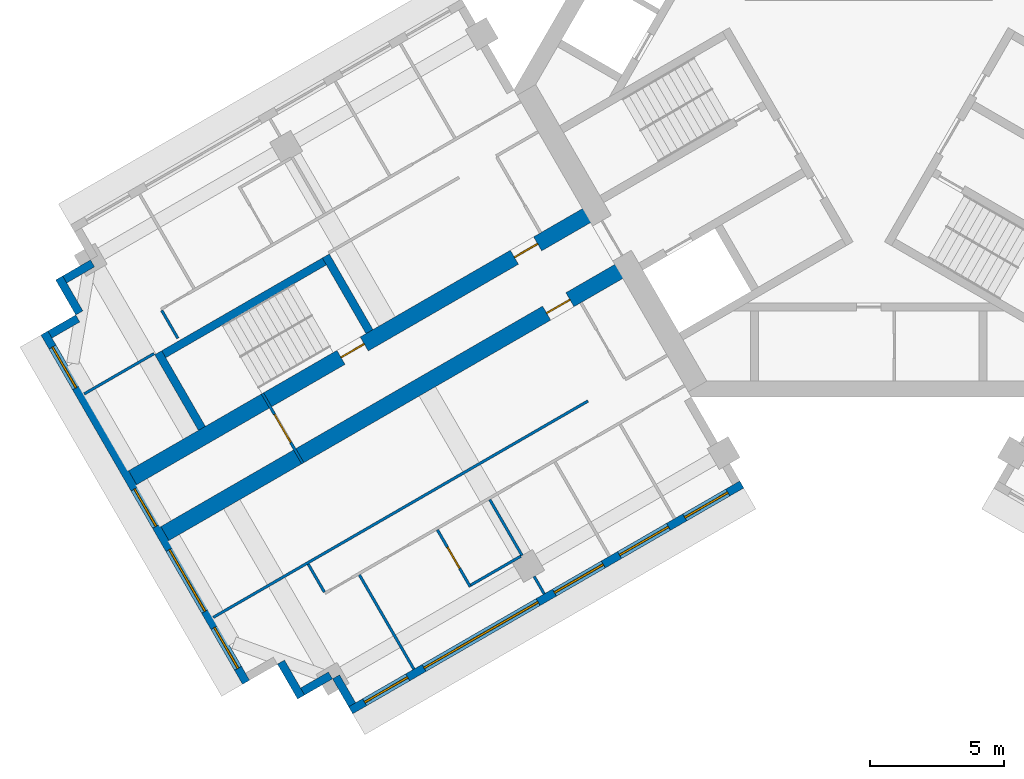
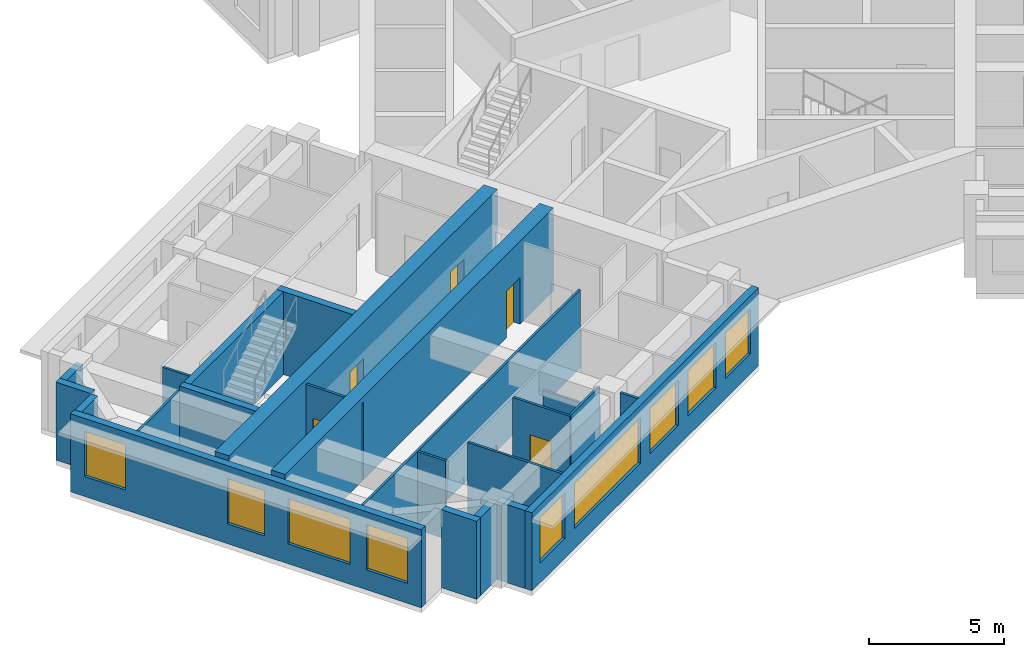
# One storey, part 2 of 10: 23 walls, 9 windows, 5 doors, 14 openings.
"""IFC4 building model written with IfcOpenShell, lengths in metres."""

import ifcopenshell
import ifcopenshell.guid

model = None  # the IFC model being written
_history = None  # IfcOwnerHistory: only IFC2X3 demands one
_inside = {}  # id of a spatial element -> (the spatial element, [elements in it])
_under = {}  # id of a project, library or spatial element -> (it, [spatial elements below it])
_declared = {}  # id of a project -> (the project, [libraries it declares])
_typed = {}  # id of a type object -> (the type object, [elements of that type])
_made_of = {}  # id of a material, layer set ... -> (it, [elements and type objects made of it])


def new_model(schema):
    """Start an empty IFC model of exactly this schema.

    Asked for "IFC4X3", IfcOpenShell would pick the latest addendum, in which some entities
    have other attributes; the version numbers below select the first issue.
    IFC2X3 requires an IfcOwnerHistory on every rooted entity: one is made here for all.
    """
    global model, _history
    if schema == "IFC4X3":
        model = ifcopenshell.file(schema_version=(4, 3, 0, 0))
    else:
        model = ifcopenshell.file(schema=schema)
    _inside.clear()
    _under.clear()
    _declared.clear()
    _typed.clear()
    _made_of.clear()
    _history = None
    if model.schema == "IFC2X3":
        org = make("IfcOrganization", Name="unknown")
        user = make(
            "IfcPersonAndOrganization",
            ThePerson=make("IfcPerson", FamilyName="unknown"),
            TheOrganization=org,
        )
        app = make(
            "IfcApplication",
            ApplicationDeveloper=org,
            Version="unknown",
            ApplicationFullName="unknown",
            ApplicationIdentifier="unknown",
        )
        _history = make(
            "IfcOwnerHistory",
            OwningUser=user,
            OwningApplication=app,
            ChangeAction="ADDED",
            CreationDate=0,
        )
    return model


def make(cls, **values):
    """One entity of the class cls with the attributes given. An attribute that is None is left unset."""
    return model.create_entity(
        cls, **{name: value for name, value in values.items() if value is not None}
    )


def rooted(cls, **values):
    """An entity with a GlobalId (a new one), such as an element, a storey or a relation."""
    return make(cls, GlobalId=ifcopenshell.guid.new(), OwnerHistory=_history, **values)


def si_unit(unit_type, name, prefix=None):
    """IfcSIUnit, for example si_unit("LENGTHUNIT", "METRE", prefix="MILLI")."""
    return make("IfcSIUnit", UnitType=unit_type, Prefix=prefix, Name=name)


def assignment(units):
    """IfcUnitAssignment: the units of a project."""
    return None if units is None else make("IfcUnitAssignment", Units=units)


def point(xyz):
    """IfcCartesianPoint."""
    return None if xyz is None else make("IfcCartesianPoint", Coordinates=xyz)


def direction(xyz):
    """IfcDirection."""
    return None if xyz is None else make("IfcDirection", DirectionRatios=xyz)


def frame(location, z_axis=None, x_axis=None):
    """IfcAxis2Placement3D, a coordinate frame: its origin and axes. An axis left out is left unset."""
    return make(
        "IfcAxis2Placement3D",
        Location=point(location),
        Axis=direction(z_axis),
        RefDirection=direction(x_axis),
    )


def frame_2d(location, x_axis=None):
    """IfcAxis2Placement2D, a coordinate frame in the plane: its origin and x axis."""
    return make(
        "IfcAxis2Placement2D", Location=point(location), RefDirection=direction(x_axis)
    )


def origin():
    """The frame at (0, 0, 0) with its axes left unset."""
    return frame((0.0, 0.0, 0.0))


def place(relative_to, where):
    """IfcLocalPlacement: puts the frame where relative to a parent placement (None: the world)."""
    return make(
        "IfcLocalPlacement", PlacementRelTo=relative_to, RelativePlacement=where
    )


def context(
    kind, dimensions, precision=None, world=None, true_north=None, identifier=None
):
    """IfcGeometricRepresentationContext, for example the 3D "Model" context."""
    return make(
        "IfcGeometricRepresentationContext",
        ContextIdentifier=identifier,
        ContextType=kind,
        CoordinateSpaceDimension=dimensions,
        Precision=precision,
        WorldCoordinateSystem=world,
        TrueNorth=true_north,
    )


def subcontext(parent, identifier, kind, view, scale=None):
    """IfcGeometricRepresentationSubContext, for example "Body" below "Model"."""
    return make(
        "IfcGeometricRepresentationSubContext",
        ContextIdentifier=identifier,
        ContextType=kind,
        ParentContext=parent,
        TargetScale=scale,
        TargetView=view,
    )


def project(units=None, contexts=None):
    """IfcProject with its units and contexts."""
    return rooted(
        "IfcProject",
        Name="project",
        RepresentationContexts=contexts,
        UnitsInContext=assignment(units),
    )


def spatial(cls, under=None, at=None, **own):
    """A site, building, storey or space (cls), placed at a placement, below another one or the project."""
    s = rooted(cls, ObjectPlacement=at, **own)
    if under is not None:
        _under.setdefault(under.id(), (under, []))[1].append(s)
    return s


def profile(cls, at=None, kind="AREA", **sizes):
    """A parametric profile (cls). Its sizes go by their IFC names, for example OverallWidth=200.0."""
    return make(cls, ProfileType=kind, Position=at, **sizes)


def rectangle(**sizes):
    """IfcRectangleProfileDef."""
    return profile("IfcRectangleProfileDef", **sizes)


def extrude(swept, where, along, depth):
    """IfcExtrudedAreaSolid: the profile swept, set in the frame where, extruded along a direction by depth."""
    return make(
        "IfcExtrudedAreaSolid",
        SweptArea=swept,
        Position=where,
        ExtrudedDirection=direction(along),
        Depth=depth,
    )


def shape(context_of_items, identifier, shape_type, items):
    """IfcShapeRepresentation: the items that make up one representation, for example the "Body"."""
    return make(
        "IfcShapeRepresentation",
        ContextOfItems=context_of_items,
        RepresentationIdentifier=identifier,
        RepresentationType=shape_type,
        Items=items,
    )


def material(Name=None, Category=None):
    """IfcMaterial."""
    return make("IfcMaterial", Name=Name, Category=Category)


def layer(
    of_material, thickness, ventilated=None, Name=None, Category=None, Priority=None
):
    """IfcMaterialLayer: one layer of a wall or slab, of a material (None: an air gap)."""
    return make(
        "IfcMaterialLayer",
        Material=of_material,
        LayerThickness=thickness,
        IsVentilated=ventilated,
        Name=Name,
        Category=Category,
        Priority=Priority,
    )


def layer_set(layers, Name=None):
    """IfcMaterialLayerSet."""
    return make("IfcMaterialLayerSet", MaterialLayers=layers, LayerSetName=Name)


def made_of(thing, what):
    """Note that an element or type object is made of a material, layer set ...; save() writes the relation."""
    if what is not None:
        _made_of.setdefault(what.id(), (what, []))[1].append(thing)
    return thing


def type_object(cls, material=None, **own):
    """A type object (cls), such as IfcWallType, which elements share."""
    return made_of(rooted(cls, **own), material)


def element(
    cls,
    number,
    at=None,
    inside=None,
    cuts=None,
    type_object=None,
    material=None,
    context=None,
    identifier="Body",
    shape_type=None,
    held_by="IfcProductDefinitionShape",
    body=None,
    shapes=None,
    **own,
):
    """One element of the class cls, such as IfcWall. Its Tag is "e" and its number.

    at: its placement. inside: the storey or other place that contains it. cuts: it is an
    opening in that element (IfcRelVoidsElement). A single representation is given by context,
    identifier, shape_type and body (its items); several are given by shapes. held_by: the class
    of the entity that holds the representations. save() writes the other relations.
    """
    e = rooted(cls, Tag="e%d" % number, ObjectPlacement=at, **own)
    if body is not None:
        shapes = [shape(context, identifier, shape_type, body)]
    if shapes is not None:
        e.Representation = make(held_by, Representations=shapes)
    if inside is not None:
        _inside.setdefault(inside.id(), (inside, []))[1].append(e)
    if cuts is not None:
        rooted(
            "IfcRelVoidsElement", RelatingBuildingElement=cuts, RelatedOpeningElement=e
        )
    if type_object is not None:
        _typed.setdefault(type_object.id(), (type_object, []))[1].append(e)
    return made_of(e, material)


def fill(opening, filler):
    """IfcRelFillsElement: the door or window that sits in an opening."""
    return rooted(
        "IfcRelFillsElement",
        RelatingOpeningElement=opening,
        RelatedBuildingElement=filler,
    )


def aggregate(whole, parts):
    """IfcRelAggregates: a whole, such as a stair, and the parts it consists of."""
    return rooted("IfcRelAggregates", RelatingObject=whole, RelatedObjects=parts)


def save(model, path):
    """Write the relations noted so far, then the file.

    IfcRelAggregates (storeys below a building ...), IfcRelContainedInSpatialStructure (elements
    in a storey), IfcRelDefinesByType, IfcRelAssociatesMaterial and IfcRelDeclares: one each for
    every whole, place, type object, material and project.
    """
    for whole, parts in _under.values():
        aggregate(whole, parts)
    for where, things in _inside.values():
        rooted(
            "IfcRelContainedInSpatialStructure",
            RelatedElements=things,
            RelatingStructure=where,
        )
    for kind, things in _typed.values():
        rooted("IfcRelDefinesByType", RelatedObjects=things, RelatingType=kind)
    for what, things in _made_of.values():
        rooted("IfcRelAssociatesMaterial", RelatedObjects=things, RelatingMaterial=what)
    for by, libraries in _declared.values():
        rooted("IfcRelDeclares", RelatingContext=by, RelatedDefinitions=libraries)
    model.write(path)


model = new_model("IFC4")

# Units and contexts
model_context = context("Model", 3, precision=1e-05, world=origin(), true_north=direction((0.0, 1.0)))
body_context = subcontext(model_context, "Body", "Model", "MODEL_VIEW")
ifc_project = project(units=[si_unit("LENGTHUNIT", "METRE"), si_unit("AREAUNIT", "SQUARE_METRE"), si_unit("VOLUMEUNIT", "CUBIC_METRE"), si_unit("PLANEANGLEUNIT", "RADIAN"), si_unit("MASSUNIT", "GRAM", prefix="KILO")], contexts=[model_context])

# Site, building, storey
site_placement = place(None, origin())
site = spatial("IfcSite", under=ifc_project, at=site_placement, CompositionType="ELEMENT")
building_placement = place(site_placement, origin())
building = spatial("IfcBuilding", under=site, at=building_placement, Name="Impinga Residences", CompositionType="ELEMENT")
storey_placement = place(building_placement, frame((0.0, 0.0, 271.0)))
storey = spatial("IfcBuildingStorey", under=building, at=storey_placement, Name="L68", CompositionType="ELEMENT", Elevation=271.0)

# Wall, opening, door
ifc_material_1 = material(Name="Concrete C60/75", Category="concrete")
ifc_layer_1 = layer(ifc_material_1, 0.60009765625)
ifc_layer_set_1 = layer_set([ifc_layer_1], Name="Concrete C60/75")
wall_type_1 = type_object("IfcWallType", Name="BW3 corridor buttress wall, L46 to L73 600", PredefinedType="SHEAR", material=ifc_layer_set_1)
wall_1_placement = place(storey_placement, frame((-8.95361328125, -6.554931640625, 0.0), z_axis=(0.0, 0.0, 1.0), x_axis=(-0.866026229868, -0.499998569178, 0.0)))
wall_1 = element("IfcWall", 1, at=wall_1_placement, inside=storey, type_object=wall_type_1, Name="Corridor wall BW3 WC L68", PredefinedType="SHEAR", context=body_context, shape_type="SweptSolid", body=[
    extrude(rectangle(XDim=19.89990234375, YDim=0.60009765625, at=frame_2d((9.949951171875, 0.0))), origin(), (0.0, 0.0, 1.0), 3.75),
])
opening_1_placement = place(wall_1_placement, frame((2.5, 0.0, 0.0)))
opening_1 = element("IfcOpeningElement", 2, at=opening_1_placement, cuts=wall_1, Name="Opening D1", PredefinedType="OPENING", context=body_context, shape_type="SweptSolid", body=[
    extrude(rectangle(XDim=1.0, YDim=2.10009765625, at=frame_2d((0.5, 1.050048828125))), frame((0.0, 0.31005859375, 0.0), z_axis=(0.0, -1.0, 0.0), x_axis=(1.0, 0.0, 0.0)), (0.0, 0.0, 1.0), 0.6201171875),
])
ifc_material_2 = material(Name="Timber door set", Category="wood")
door_type_1 = type_object("IfcDoorType", Name="D1 apartment entrance door 1000x2100", OperationType="SINGLE_SWING_LEFT", PredefinedType="DOOR", material=ifc_material_2)
door_1_placement = place(opening_1_placement, origin())
door_1 = element("IfcDoor", 3, at=door_1_placement, inside=storey, type_object=door_type_1, Name="Apartment L68-WA1 entrance", OperationType="SINGLE_SWING_LEFT", OverallHeight=2.10009765625, OverallWidth=1.0, PredefinedType="DOOR", context=body_context, shape_type="SweptSolid", body=[
    extrude(rectangle(XDim=1.0, YDim=2.10009765625, at=frame_2d((0.5, 1.050048828125))), frame((0.0, 0.02490234375, 0.0), z_axis=(0.0, -1.0, 0.0), x_axis=(1.0, 0.0, 0.0)), (0.0, 0.0, 1.0), 0.050048828125),
])
fill(opening_1, door_1)

# Wall, openings, doors
wall_2_placement = place(storey_placement, frame((-10.153564453125, -4.4765625, 0.0), z_axis=(0.0, 0.0, 1.0), x_axis=(-0.866026229868, -0.499998569178, 0.0)))
wall_2 = element("IfcWall", 4, at=wall_2_placement, inside=storey, type_object=wall_type_1, Name="Corridor wall BW3 WD L68", PredefinedType="SHEAR", context=body_context, shape_type="SweptSolid", body=[
    extrude(rectangle(XDim=19.89990234375, YDim=0.60009765625, at=frame_2d((9.949951171875, 0.0))), origin(), (0.0, 0.0, 1.0), 3.75),
])
opening_2_placement = place(wall_2_placement, frame((9.949951171875, 0.0, 0.0)))
opening_2 = element("IfcOpeningElement", 5, at=opening_2_placement, cuts=wall_2, Name="Opening D5", PredefinedType="OPENING", context=body_context, shape_type="SweptSolid", body=[
    extrude(rectangle(XDim=1.0, YDim=2.10009765625, at=frame_2d((0.5, 1.050048828125))), frame((0.0, 0.31005859375, 0.0), z_axis=(0.0, -1.0, 0.0), x_axis=(1.0, 0.0, 0.0)), (0.0, 0.0, 1.0), 0.6201171875),
])
opening_3_placement = place(wall_2_placement, frame((2.5, 0.0, 0.0)))
opening_3 = element("IfcOpeningElement", 6, at=opening_3_placement, cuts=wall_2, Name="Opening D1", PredefinedType="OPENING", context=body_context, shape_type="SweptSolid", body=[
    extrude(rectangle(XDim=1.0, YDim=2.10009765625, at=frame_2d((0.5, 1.050048828125))), frame((0.0, 0.31005859375, 0.0), z_axis=(0.0, -1.0, 0.0), x_axis=(1.0, 0.0, 0.0)), (0.0, 0.0, 1.0), 0.6201171875),
])
door_2_placement = place(opening_3_placement, origin())
door_2 = element("IfcDoor", 7, at=door_2_placement, inside=storey, type_object=door_type_1, Name="Apartment L68-WF1 entrance", OperationType="SINGLE_SWING_LEFT", OverallHeight=2.10009765625, OverallWidth=1.0, PredefinedType="DOOR", context=body_context, shape_type="SweptSolid", body=[
    extrude(rectangle(XDim=1.0, YDim=2.10009765625, at=frame_2d((0.5, 1.050048828125))), frame((0.0, 0.02490234375, 0.0), z_axis=(0.0, -1.0, 0.0), x_axis=(1.0, 0.0, 0.0)), (0.0, 0.0, 1.0), 0.050048828125),
])
fill(opening_3, door_2)
door_type_2 = type_object("IfcDoorType", Name="D5 stair door 1000x2100", OperationType="SINGLE_SWING_LEFT", PredefinedType="DOOR", material=ifc_material_2)
door_3_placement = place(opening_2_placement, origin())
door_3 = element("IfcDoor", 8, at=door_3_placement, inside=storey, type_object=door_type_2, Name="Wing stair door W", OperationType="SINGLE_SWING_RIGHT", OverallHeight=2.10009765625, OverallWidth=1.0, PredefinedType="DOOR", context=body_context, shape_type="SweptSolid", body=[
    extrude(rectangle(XDim=1.0, YDim=2.10009765625, at=frame_2d((0.5, 1.050048828125))), frame((0.0, 0.02490234375, 0.0), z_axis=(0.0, -1.0, 0.0), x_axis=(1.0, 0.0, 0.0)), (0.0, 0.0, 1.0), 0.050048828125),
])
fill(opening_2, door_3)

# Wall, opening, door
ifc_material_3 = material(Name="Concrete blockwork", Category="masonry")
ifc_layer_2 = layer(ifc_material_3, 0.10009765625)
ifc_layer_set_2 = layer_set([ifc_layer_2], Name="CP1 core room partition, blockwork 100")
wall_type_2 = type_object("IfcWallType", Name="CP1 core room partition, blockwork 100", PredefinedType="PARTITIONING", material=ifc_layer_set_2)
wall_3_placement = place(storey_placement, frame((-21.057861328125, -13.889892578125, 0.0), z_axis=(0.0, 0.0, 1.0), x_axis=(-0.499990139034, 0.866031096941, 0.0)))
wall_3 = element("IfcWall", 9, at=wall_3_placement, inside=storey, type_object=wall_type_2, Name="Core room partition, blockwork L68:W:LNG", PredefinedType="PARTITIONING", context=body_context, shape_type="SweptSolid", body=[
    extrude(rectangle(XDim=3.0, YDim=0.10009765625, at=frame_2d((1.5, 0.0))), origin(), (0.0, 0.0, 1.0), 3.530029296875),
])
opening_4_placement = place(wall_3_placement, frame((0.89990234375, 0.0, 0.0)))
opening_4 = element("IfcOpeningElement", 10, at=opening_4_placement, cuts=wall_3, Name="Opening D3", PredefinedType="OPENING", context=body_context, shape_type="SweptSolid", body=[
    extrude(rectangle(XDim=1.199951171875, YDim=2.10009765625, at=frame_2d((0.60009765625, 1.050048828125))), frame((0.0, 0.06005859375, 0.0), z_axis=(0.0, -1.0, 0.0), x_axis=(1.0, 0.0, 0.0)), (0.0, 0.0, 1.0), 0.1201171875),
])
door_type_3 = type_object("IfcDoorType", Name="D3 room door, leaf and a half 1200x2100", OperationType="DOUBLE_SWING_LEFT", PredefinedType="DOOR", material=ifc_material_2)
door_4_placement = place(opening_4_placement, origin())
door_4 = element("IfcDoor", 11, at=door_4_placement, inside=storey, type_object=door_type_3, Name="Residents' lounge door W", OperationType="DOUBLE_SWING_LEFT", OverallHeight=2.10009765625, OverallWidth=1.199951171875, PredefinedType="DOOR", context=body_context, shape_type="SweptSolid", body=[
    extrude(rectangle(XDim=1.199951171875, YDim=2.10009765625, at=frame_2d((0.60009765625, 1.050048828125))), frame((0.0, 0.02490234375, 0.0), z_axis=(0.0, -1.0, 0.0), x_axis=(1.0, 0.0, 0.0)), (0.0, 0.0, 1.0), 0.050048828125),
])
fill(opening_4, door_4)

# Walls
ifc_material_4 = material(Name="Terracotta rainscreen on blockwork", Category="masonry")
ifc_layer_3 = layer(ifc_material_4, 0.300048828125)
ifc_layer_set_3 = layer_set([ifc_layer_3], Name="EW1 external wall, terracotta rainscreen on blockwork 300")
wall_type_3 = type_object("IfcWallType", Name="EW1 external wall, terracotta rainscreen on blockwork 300", PredefinedType="SOLIDWALL", material=ifc_layer_set_3)
wall_4_placement = place(storey_placement, frame((-19.21923828125, -22.874267578125, 0.0), z_axis=(0.0, 0.0, 1.0), x_axis=(-0.500033551112, 0.866006032174, 0.0)))
element("IfcWall", 12, at=wall_4_placement, inside=storey, type_object=wall_type_3, Name="External wall EW1 L68", PredefinedType="SOLIDWALL", context=body_context, shape_type="SweptSolid", body=[
    extrude(rectangle(XDim=1.2001953125, YDim=0.300048828125, at=frame_2d((0.60009765625, 0.0))), origin(), (0.0, 0.0, 1.0), 3.530029296875),
])
wall_5_placement = place(storey_placement, frame((-20.028564453125, -21.782470703125, 0.0), z_axis=(0.0, 0.0, 1.0), x_axis=(-0.865971243484, -0.500093796661, 0.0)))
element("IfcWall", 13, at=wall_5_placement, inside=storey, type_object=wall_type_3, Name="External wall EW1 L68", PredefinedType="SOLIDWALL", context=body_context, shape_type="SweptSolid", body=[
    extrude(rectangle(XDim=1.195068359375, YDim=0.300048828125, at=frame_2d((0.59765625, 0.0))), origin(), (0.0, 0.0, 1.0), 3.530029296875),
])
wall_6_placement = place(storey_placement, frame((-21.118408203125, -22.5849609375, 0.0), z_axis=(0.0, 0.0, 1.0), x_axis=(-0.499990139034, 0.866031096941, 0.0)))
element("IfcWall", 14, at=wall_6_placement, inside=storey, type_object=wall_type_3, Name="External wall EW1 L68", PredefinedType="SOLIDWALL", context=body_context, shape_type="SweptSolid", body=[
    extrude(rectangle(XDim=1.5, YDim=0.300048828125, at=frame_2d((0.75, 0.0))), origin(), (0.0, 0.0, 1.0), 3.530029296875),
])

# Wall, openings, windows
wall_7_placement = place(storey_placement, frame((-23.16748046875, -22.035888671875, 0.0), z_axis=(0.0, 0.0, 1.0), x_axis=(-0.500004234368, 0.866022959057, 0.0)))
wall_7 = element("IfcWall", 15, at=wall_7_placement, inside=storey, type_object=wall_type_3, Name="External wall EW1 L68", PredefinedType="SOLIDWALL", context=body_context, shape_type="SweptSolid", body=[
    extrude(rectangle(XDim=14.999755859375, YDim=0.300048828125, at=frame_2d((7.5, 0.0))), origin(), (0.0, 0.0, 1.0), 3.530029296875),
])
opening_5_placement = place(wall_7_placement, frame((0.60009765625, 0.0, 0.89990234375)))
opening_5 = element("IfcOpeningElement", 16, at=opening_5_placement, cuts=wall_7, Name="Opening W1", PredefinedType="OPENING", context=body_context, shape_type="SweptSolid", body=[
    extrude(rectangle(XDim=1.75, YDim=2.050048828125, at=frame_2d((0.875, 1.02490234375))), frame((0.0, 0.159912109375, 0.0), z_axis=(0.0, -1.0, 0.0), x_axis=(1.0, 0.0, 0.0)), (0.0, 0.0, 1.0), 0.320068359375),
])
opening_6_placement = place(wall_7_placement, frame((3.050048828125, 0.0, 0.89990234375)))
opening_6 = element("IfcOpeningElement", 17, at=opening_6_placement, cuts=wall_7, Name="Opening W18", PredefinedType="OPENING", context=body_context, shape_type="SweptSolid", body=[
    extrude(rectangle(XDim=2.64990234375, YDim=2.050048828125, at=frame_2d((1.324951171875, 1.02490234375))), frame((0.0, 0.159912109375, 0.0), z_axis=(0.0, -1.0, 0.0), x_axis=(1.0, 0.0, 0.0)), (0.0, 0.0, 1.0), 0.320068359375),
])
opening_7_placement = place(wall_7_placement, frame((6.699951171875, 0.0, 0.89990234375)))
opening_7 = element("IfcOpeningElement", 18, at=opening_7_placement, cuts=wall_7, Name="Opening W19", PredefinedType="OPENING", context=body_context, shape_type="SweptSolid", body=[
    extrude(rectangle(XDim=1.60009765625, YDim=2.050048828125, at=frame_2d((0.800048828125, 1.02490234375))), frame((0.0, 0.159912109375, 0.0), z_axis=(0.0, -1.0, 0.0), x_axis=(1.0, 0.0, 0.0)), (0.0, 0.0, 1.0), 0.320068359375),
])
opening_8_placement = place(wall_7_placement, frame((12.64990234375, 0.0, 0.89990234375)))
opening_8 = element("IfcOpeningElement", 19, at=opening_8_placement, cuts=wall_7, Name="Opening W1", PredefinedType="OPENING", context=body_context, shape_type="SweptSolid", body=[
    extrude(rectangle(XDim=1.75, YDim=2.050048828125, at=frame_2d((0.875, 1.02490234375))), frame((0.0, 0.159912109375, 0.0), z_axis=(0.0, -1.0, 0.0), x_axis=(1.0, 0.0, 0.0)), (0.0, 0.0, 1.0), 0.320068359375),
])
ifc_material_5 = material(Name="Aluminium window, clear double glazing", Category="aluminium")
window_type_1 = type_object("IfcWindowType", Name="W1 ribbon window 1750x2050", PartitioningType="SINGLE_PANEL", PredefinedType="WINDOW", material=ifc_material_5)
window_1_placement = place(opening_5_placement, origin())
window_1 = element("IfcWindow", 20, at=window_1_placement, inside=storey, type_object=window_type_1, Name="Window L68", OverallHeight=2.050048828125, OverallWidth=1.75, PartitioningType="SINGLE_PANEL", PredefinedType="WINDOW", context=body_context, shape_type="SweptSolid", body=[
    extrude(rectangle(XDim=1.75, YDim=2.050048828125, at=frame_2d((0.875, 1.02490234375))), frame((0.0, 0.030029296875, 0.0), z_axis=(0.0, -1.0, 0.0), x_axis=(1.0, 0.0, 0.0)), (0.0, 0.0, 1.0), 0.06005859375),
])
fill(opening_5, window_1)
window_2_placement = place(opening_8_placement, origin())
window_2 = element("IfcWindow", 21, at=window_2_placement, inside=storey, type_object=window_type_1, Name="Window L68", OverallHeight=2.050048828125, OverallWidth=1.75, PartitioningType="SINGLE_PANEL", PredefinedType="WINDOW", context=body_context, shape_type="SweptSolid", body=[
    extrude(rectangle(XDim=1.75, YDim=2.050048828125, at=frame_2d((0.875, 1.02490234375))), frame((0.0, 0.030029296875, 0.0), z_axis=(0.0, -1.0, 0.0), x_axis=(1.0, 0.0, 0.0)), (0.0, 0.0, 1.0), 0.06005859375),
])
fill(opening_8, window_2)
window_type_2 = type_object("IfcWindowType", Name="W18 ribbon window 2650x2050", PartitioningType="SINGLE_PANEL", PredefinedType="WINDOW", material=ifc_material_5)
window_3_placement = place(opening_6_placement, origin())
window_3 = element("IfcWindow", 22, at=window_3_placement, inside=storey, type_object=window_type_2, Name="Window L68", OverallHeight=2.050048828125, OverallWidth=2.64990234375, PartitioningType="SINGLE_PANEL", PredefinedType="WINDOW", context=body_context, shape_type="SweptSolid", body=[
    extrude(rectangle(XDim=2.64990234375, YDim=2.050048828125, at=frame_2d((1.324951171875, 1.02490234375))), frame((0.0, 0.030029296875, 0.0), z_axis=(0.0, -1.0, 0.0), x_axis=(1.0, 0.0, 0.0)), (0.0, 0.0, 1.0), 0.06005859375),
])
fill(opening_6, window_3)
window_type_3 = type_object("IfcWindowType", Name="W19 ribbon window 1600x2050", PartitioningType="SINGLE_PANEL", PredefinedType="WINDOW", material=ifc_material_5)
window_4_placement = place(opening_7_placement, origin())
window_4 = element("IfcWindow", 23, at=window_4_placement, inside=storey, type_object=window_type_3, Name="Window L68", OverallHeight=2.050048828125, OverallWidth=1.60009765625, PartitioningType="SINGLE_PANEL", PredefinedType="WINDOW", context=body_context, shape_type="SweptSolid", body=[
    extrude(rectangle(XDim=1.60009765625, YDim=2.050048828125, at=frame_2d((0.800048828125, 1.02490234375))), frame((0.0, 0.030029296875, 0.0), z_axis=(0.0, -1.0, 0.0), x_axis=(1.0, 0.0, 0.0)), (0.0, 0.0, 1.0), 0.06005859375),
])
fill(opening_7, window_4)

# Walls
wall_8_placement = place(storey_placement, frame((-30.46240234375, -9.1005859375, 0.0), z_axis=(0.0, 0.0, 1.0), x_axis=(0.865971243484, 0.500093796661, 0.0)))
element("IfcWall", 24, at=wall_8_placement, inside=storey, type_object=wall_type_3, Name="External wall EW1 L68", PredefinedType="SOLIDWALL", context=body_context, shape_type="SweptSolid", body=[
    extrude(rectangle(XDim=1.195068359375, YDim=0.300048828125, at=frame_2d((0.59765625, 0.0))), origin(), (0.0, 0.0, 1.0), 3.530029296875),
])
wall_9_placement = place(storey_placement, frame((-29.368408203125, -8.295654296875, 0.0), z_axis=(0.0, 0.0, 1.0), x_axis=(-0.499990139034, 0.866031096941, 0.0)))
element("IfcWall", 25, at=wall_9_placement, inside=storey, type_object=wall_type_3, Name="External wall EW1 L68", PredefinedType="SOLIDWALL", context=body_context, shape_type="SweptSolid", body=[
    extrude(rectangle(XDim=1.5, YDim=0.300048828125, at=frame_2d((0.75, 0.0))), origin(), (0.0, 0.0, 1.0), 3.530029296875),
])
wall_10_placement = place(storey_placement, frame((-29.91357421875, -7.051513671875, 0.0), z_axis=(0.0, 0.0, 1.0), x_axis=(0.865971243484, 0.500093796661, 0.0)))
element("IfcWall", 26, at=wall_10_placement, inside=storey, type_object=wall_type_3, Name="External wall EW1 L68", PredefinedType="SOLIDWALL", context=body_context, shape_type="SweptSolid", body=[
    extrude(rectangle(XDim=1.195068359375, YDim=0.300048828125, at=frame_2d((0.59765625, 0.0))), origin(), (0.0, 0.0, 1.0), 3.530029296875),
])

# Wall, openings, windows
wall_11_placement = place(storey_placement, frame((-4.72509765625, -14.67919921875, 0.0), z_axis=(0.0, 0.0, 1.0), x_axis=(-0.86602562146, -0.499999622975, 0.0)))
wall_11 = element("IfcWall", 27, at=wall_11_placement, inside=storey, type_object=wall_type_3, Name="External wall EW1 L68", PredefinedType="SOLIDWALL", context=body_context, shape_type="SweptSolid", body=[
    extrude(rectangle(XDim=16.7998046875, YDim=0.300048828125, at=frame_2d((8.39990234375, 0.0))), origin(), (0.0, 0.0, 1.0), 3.530029296875),
])
opening_9_placement = place(wall_11_placement, frame((0.60009765625, 0.0, 0.89990234375)))
opening_9 = element("IfcOpeningElement", 28, at=opening_9_placement, cuts=wall_11, Name="Opening W15", PredefinedType="OPENING", context=body_context, shape_type="SweptSolid", body=[
    extrude(rectangle(XDim=1.85009765625, YDim=2.050048828125, at=frame_2d((0.925048828125, 1.02490234375))), frame((0.0, 0.159912109375, 0.0), z_axis=(0.0, -1.0, 0.0), x_axis=(1.0, 0.0, 0.0)), (0.0, 0.0, 1.0), 0.320068359375),
])
opening_10_placement = place(wall_11_placement, frame((3.14990234375, 0.0, 0.89990234375)))
opening_10 = element("IfcOpeningElement", 29, at=opening_10_placement, cuts=wall_11, Name="Opening W9", PredefinedType="OPENING", context=body_context, shape_type="SweptSolid", body=[
    extrude(rectangle(XDim=2.10009765625, YDim=2.050048828125, at=frame_2d((1.050048828125, 1.02490234375))), frame((0.0, 0.159912109375, 0.0), z_axis=(0.0, -1.0, 0.0), x_axis=(1.0, 0.0, 0.0)), (0.0, 0.0, 1.0), 0.320068359375),
])
opening_11_placement = place(wall_11_placement, frame((5.949951171875, 0.0, 0.89990234375)))
opening_11 = element("IfcOpeningElement", 30, at=opening_11_placement, cuts=wall_11, Name="Opening W9", PredefinedType="OPENING", context=body_context, shape_type="SweptSolid", body=[
    extrude(rectangle(XDim=2.10009765625, YDim=2.050048828125, at=frame_2d((1.050048828125, 1.02490234375))), frame((0.0, 0.159912109375, 0.0), z_axis=(0.0, -1.0, 0.0), x_axis=(1.0, 0.0, 0.0)), (0.0, 0.0, 1.0), 0.320068359375),
])
opening_12_placement = place(wall_11_placement, frame((8.75, 0.0, 0.89990234375)))
opening_12 = element("IfcOpeningElement", 31, at=opening_12_placement, cuts=wall_11, Name="Opening W16", PredefinedType="OPENING", context=body_context, shape_type="SweptSolid", body=[
    extrude(rectangle(XDim=4.89990234375, YDim=2.050048828125, at=frame_2d((2.449951171875, 1.02490234375))), frame((0.0, 0.159912109375, 0.0), z_axis=(0.0, -1.0, 0.0), x_axis=(1.0, 0.0, 0.0)), (0.0, 0.0, 1.0), 0.320068359375),
])
opening_13_placement = place(wall_11_placement, frame((14.35009765625, 0.0, 0.89990234375)))
opening_13 = element("IfcOpeningElement", 32, at=opening_13_placement, cuts=wall_11, Name="Opening W15", PredefinedType="OPENING", context=body_context, shape_type="SweptSolid", body=[
    extrude(rectangle(XDim=1.85009765625, YDim=2.050048828125, at=frame_2d((0.925048828125, 1.02490234375))), frame((0.0, 0.159912109375, 0.0), z_axis=(0.0, -1.0, 0.0), x_axis=(1.0, 0.0, 0.0)), (0.0, 0.0, 1.0), 0.320068359375),
])
window_type_4 = type_object("IfcWindowType", Name="W15 ribbon window 1850x2050", PartitioningType="SINGLE_PANEL", PredefinedType="WINDOW", material=ifc_material_5)
window_5_placement = place(opening_9_placement, origin())
window_5 = element("IfcWindow", 33, at=window_5_placement, inside=storey, type_object=window_type_4, Name="Window L68", OverallHeight=2.050048828125, OverallWidth=1.85009765625, PartitioningType="SINGLE_PANEL", PredefinedType="WINDOW", context=body_context, shape_type="SweptSolid", body=[
    extrude(rectangle(XDim=1.85009765625, YDim=2.050048828125, at=frame_2d((0.925048828125, 1.02490234375))), frame((0.0, 0.030029296875, 0.0), z_axis=(0.0, -1.0, 0.0), x_axis=(1.0, 0.0, 0.0)), (0.0, 0.0, 1.0), 0.06005859375),
])
fill(opening_9, window_5)
window_6_placement = place(opening_13_placement, origin())
window_6 = element("IfcWindow", 34, at=window_6_placement, inside=storey, type_object=window_type_4, Name="Window L68", OverallHeight=2.050048828125, OverallWidth=1.85009765625, PartitioningType="SINGLE_PANEL", PredefinedType="WINDOW", context=body_context, shape_type="SweptSolid", body=[
    extrude(rectangle(XDim=1.85009765625, YDim=2.050048828125, at=frame_2d((0.925048828125, 1.02490234375))), frame((0.0, 0.030029296875, 0.0), z_axis=(0.0, -1.0, 0.0), x_axis=(1.0, 0.0, 0.0)), (0.0, 0.0, 1.0), 0.06005859375),
])
fill(opening_13, window_6)
window_type_5 = type_object("IfcWindowType", Name="W16 ribbon window 4900x2050", PartitioningType="SINGLE_PANEL", PredefinedType="WINDOW", material=ifc_material_5)
window_7_placement = place(opening_12_placement, origin())
window_7 = element("IfcWindow", 35, at=window_7_placement, inside=storey, type_object=window_type_5, Name="Window L68", OverallHeight=2.050048828125, OverallWidth=4.89990234375, PartitioningType="SINGLE_PANEL", PredefinedType="WINDOW", context=body_context, shape_type="SweptSolid", body=[
    extrude(rectangle(XDim=4.89990234375, YDim=2.050048828125, at=frame_2d((2.449951171875, 1.02490234375))), frame((0.0, 0.030029296875, 0.0), z_axis=(0.0, -1.0, 0.0), x_axis=(1.0, 0.0, 0.0)), (0.0, 0.0, 1.0), 0.06005859375),
])
fill(opening_12, window_7)
window_type_6 = type_object("IfcWindowType", Name="W9 ribbon window 2100x2050", PartitioningType="SINGLE_PANEL", PredefinedType="WINDOW", material=ifc_material_5)
window_8_placement = place(opening_10_placement, origin())
window_8 = element("IfcWindow", 36, at=window_8_placement, inside=storey, type_object=window_type_6, Name="Window L68", OverallHeight=2.050048828125, OverallWidth=2.10009765625, PartitioningType="SINGLE_PANEL", PredefinedType="WINDOW", context=body_context, shape_type="SweptSolid", body=[
    extrude(rectangle(XDim=2.10009765625, YDim=2.050048828125, at=frame_2d((1.050048828125, 1.02490234375))), frame((0.0, 0.030029296875, 0.0), z_axis=(0.0, -1.0, 0.0), x_axis=(1.0, 0.0, 0.0)), (0.0, 0.0, 1.0), 0.06005859375),
])
fill(opening_10, window_8)
window_9_placement = place(opening_11_placement, origin())
window_9 = element("IfcWindow", 37, at=window_9_placement, inside=storey, type_object=window_type_6, Name="Window L68", OverallHeight=2.050048828125, OverallWidth=2.10009765625, PartitioningType="SINGLE_PANEL", PredefinedType="WINDOW", context=body_context, shape_type="SweptSolid", body=[
    extrude(rectangle(XDim=2.10009765625, YDim=2.050048828125, at=frame_2d((1.050048828125, 1.02490234375))), frame((0.0, 0.030029296875, 0.0), z_axis=(0.0, -1.0, 0.0), x_axis=(1.0, 0.0, 0.0)), (0.0, 0.0, 1.0), 0.06005859375),
])
fill(opening_11, window_9)

# Walls
ifc_material_6 = material(Name="Gypsum board on steel studs", Category="steel")
ifc_layer_4 = layer(ifc_material_6, 0.10009765625)
ifc_layer_set_4 = layer_set([ifc_layer_4], Name="Gypsum board on steel studs")
wall_type_4 = type_object("IfcWallType", Name="IP1 partition 100", PredefinedType="PARTITIONING", material=ifc_layer_set_4)
wall_12_placement = place(storey_placement, frame((-10.444580078125, -11.57275390625, 0.0), z_axis=(0.0, 0.0, 1.0), x_axis=(-0.866021949085, -0.500005983666, 0.0)))
element("IfcWall", 38, at=wall_12_placement, inside=storey, type_object=wall_type_4, Name="Partition L68-WA1:DIV1", PredefinedType="PARTITIONING", context=body_context, shape_type="SweptSolid", body=[
    extrude(rectangle(XDim=16.099853515625, YDim=0.10009765625, at=frame_2d((8.0498046875, 0.0))), origin(), (0.0, 0.0, 1.0), 3.530029296875),
])
wall_13_placement = place(storey_placement, frame((-20.85498046875, -17.640869140625, 0.0), z_axis=(0.0, 0.0, 1.0), x_axis=(0.499880961361, -0.866094119867, 0.0)))
element("IfcWall", 39, at=wall_13_placement, inside=storey, type_object=wall_type_4, Name="Partition L68-WA1:SE1", PredefinedType="PARTITIONING", context=body_context, shape_type="SweptSolid", body=[
    extrude(rectangle(XDim=1.199951171875, YDim=0.10009765625, at=frame_2d((0.60009765625, 0.0))), origin(), (0.0, 0.0, 1.0), 3.530029296875),
])
wall_14_placement = place(storey_placement, frame((-14.099609375, -15.241943359375, 0.0), z_axis=(0.0, 0.0, 1.0), x_axis=(0.500001309137, -0.866024647952, 0.0)))
element("IfcWall", 40, at=wall_14_placement, inside=storey, type_object=wall_type_4, Name="Partition L68-WA1:OB3", PredefinedType="PARTITIONING", context=body_context, shape_type="SweptSolid", body=[
    extrude(rectangle(XDim=2.39990234375, YDim=0.10009765625, at=frame_2d((1.199951171875, 0.0))), origin(), (0.0, 0.0, 1.0), 2.47998046875),
])
wall_15_placement = place(storey_placement, frame((-12.44970703125, -18.099609375, 0.0), z_axis=(0.0, 0.0, 1.0), x_axis=(0.499919672301, -0.866071776036, 0.0)))
element("IfcWall", 41, at=wall_15_placement, inside=storey, type_object=wall_type_4, Name="Partition L68-WA1:OB3b", PredefinedType="PARTITIONING", context=body_context, shape_type="SweptSolid", body=[
    extrude(rectangle(XDim=0.75, YDim=0.10009765625, at=frame_2d((0.375, 0.0))), origin(), (0.0, 0.0, 1.0), 3.530029296875),
])
wall_16_placement = place(storey_placement, frame((-18.949462890625, -18.041748046875, 0.0), z_axis=(0.0, 0.0, 1.0), x_axis=(0.50000943426, -0.866019956843, 0.0)))
element("IfcWall", 42, at=wall_16_placement, inside=storey, type_object=wall_type_4, Name="Partition L68-WA1:OB4", PredefinedType="PARTITIONING", context=body_context, shape_type="SweptSolid", body=[
    extrude(rectangle(XDim=4.05029296875, YDim=0.10009765625, at=frame_2d((2.025146484375, 0.0))), origin(), (0.0, 0.0, 1.0), 3.530029296875),
])

# Wall, opening, door
wall_17_placement = place(storey_placement, frame((-16.048095703125, -16.366943359375, 0.0), z_axis=(0.0, 0.0, 1.0), x_axis=(0.499987006516, -0.866032905446, 0.0)))
wall_17 = element("IfcWall", 43, at=wall_17_placement, inside=storey, type_object=wall_type_4, Name="Partition L68-WA1:EN1", PredefinedType="PARTITIONING", context=body_context, shape_type="SweptSolid", body=[
    extrude(rectangle(XDim=2.44970703125, YDim=0.10009765625, at=frame_2d((1.224853515625, 0.0))), origin(), (0.0, 0.0, 1.0), 3.530029296875),
])
opening_14_placement = place(wall_17_placement, frame((0.75, 0.0, 0.0)))
opening_14 = element("IfcOpeningElement", 44, at=opening_14_placement, cuts=wall_17, Name="Opening D2", PredefinedType="OPENING", context=body_context, shape_type="SweptSolid", body=[
    extrude(rectangle(XDim=0.89990234375, YDim=2.10009765625, at=frame_2d((0.449951171875, 1.050048828125))), frame((0.0, 0.06005859375, 0.0), z_axis=(0.0, -1.0, 0.0), x_axis=(1.0, 0.0, 0.0)), (0.0, 0.0, 1.0), 0.1201171875),
])
door_type_4 = type_object("IfcDoorType", Name="D2 internal door 900x2100", OperationType="SINGLE_SWING_LEFT", PredefinedType="DOOR", material=ifc_material_2)
door_5_placement = place(opening_14_placement, origin())
door_5 = element("IfcDoor", 45, at=door_5_placement, inside=storey, type_object=door_type_4, Name="Apartment L68-WA1 en-suite door", OperationType="SINGLE_SWING_LEFT", OverallHeight=2.10009765625, OverallWidth=0.89990234375, PredefinedType="DOOR", context=body_context, shape_type="SweptSolid", body=[
    extrude(rectangle(XDim=0.89990234375, YDim=2.10009765625, at=frame_2d((0.449951171875, 1.050048828125))), frame((0.0, 0.02490234375, 0.0), z_axis=(0.0, -1.0, 0.0), x_axis=(1.0, 0.0, 0.0)), (0.0, 0.0, 1.0), 0.050048828125),
])
fill(opening_14, door_5)

# Walls
wall_18_placement = place(storey_placement, frame((-12.94287109375, -17.34521484375, 0.0), z_axis=(0.0, 0.0, 1.0), x_axis=(-0.866047553582, -0.499961633463, 0.0)))
element("IfcWall", 46, at=wall_18_placement, inside=storey, type_object=wall_type_4, Name="Partition L68-WA1:EN2", PredefinedType="PARTITIONING", context=body_context, shape_type="SweptSolid", body=[
    extrude(rectangle(XDim=2.150146484375, YDim=0.10009765625, at=frame_2d((1.0751953125, 0.0))), origin(), (0.0, 0.0, 1.0), 3.530029296875),
])
wall_19_placement = place(storey_placement, frame((-26.58935546875, -9.808837890625, 0.0), z_axis=(0.0, 0.0, 1.0), x_axis=(-0.866031096941, -0.499990139034, 0.0)))
element("IfcWall", 47, at=wall_19_placement, inside=storey, type_object=wall_type_4, Name="Partition L68-WF1:DIV2", PredefinedType="PARTITIONING", context=body_context, shape_type="SweptSolid", body=[
    extrude(rectangle(XDim=3.0, YDim=0.10009765625, at=frame_2d((1.5, 0.0))), origin(), (0.0, 0.0, 1.0), 3.530029296875),
])
wall_20_placement = place(storey_placement, frame((-25.705078125, -9.240478515625, 0.0), z_axis=(0.0, 0.0, 1.0), x_axis=(-0.50012165622, 0.865955154139, 0.0)))
element("IfcWall", 48, at=wall_20_placement, inside=storey, type_object=wall_type_4, Name="Partition L68-WF1:SE1", PredefinedType="PARTITIONING", context=body_context, shape_type="SweptSolid", body=[
    extrude(rectangle(XDim=1.199951171875, YDim=0.10009765625, at=frame_2d((0.60009765625, 0.0))), origin(), (0.0, 0.0, 1.0), 3.530029296875),
])
ifc_layer_5 = layer(ifc_material_1, 0.300048828125)
ifc_layer_set_5 = layer_set([ifc_layer_5], Name="Concrete C60/75")
wall_type_5 = type_object("IfcWallType", Name="SE1 wing stair enclosure wall 300", PredefinedType="SOLIDWALL", material=ifc_layer_set_5)
for number, where, z_axis, x_axis, name in (
    (49, (-18.57421875, -8.99169921875, 0.0), (0.0, 0.0, 1.0), (-0.500017246033, 0.866015446554, 0.0), "Stair enclosure wall SE1 W END0 L68"),
    (50, (-24.8095703125, -12.591796875, 0.0), (0.0, 0.0, 1.0), (-0.499984717929, 0.866034226713, 0.0), "Stair enclosure wall SE1 W END1 L68"),
):
    element("IfcWall", number, at=place(storey_placement, frame(where, z_axis=z_axis, x_axis=x_axis)), inside=storey, type_object=wall_type_5, Name=name, PredefinedType="SOLIDWALL", context=body_context, shape_type="SweptSolid", body=[
        extrude(rectangle(XDim=3.25, YDim=0.300048828125, at=frame_2d((1.625, 0.0))), origin(), (0.0, 0.0, 1.0), 3.75),
    ])
wall_21_placement = place(storey_placement, frame((-20.254150390625, -6.382080078125, 0.0), z_axis=(0.0, 0.0, 1.0), x_axis=(-0.866020008033, -0.500009345598, 0.0)))
element("IfcWall", 51, at=wall_21_placement, inside=storey, type_object=wall_type_5, Name="Stair enclosure wall SE1 W OUT L68", PredefinedType="SOLIDWALL", context=body_context, shape_type="SweptSolid", body=[
    extrude(rectangle(XDim=6.899658203125, YDim=0.300048828125, at=frame_2d((3.44970703125, 0.0))), origin(), (0.0, 0.0, 1.0), 3.75),
])

save(model, "model.ifc")
